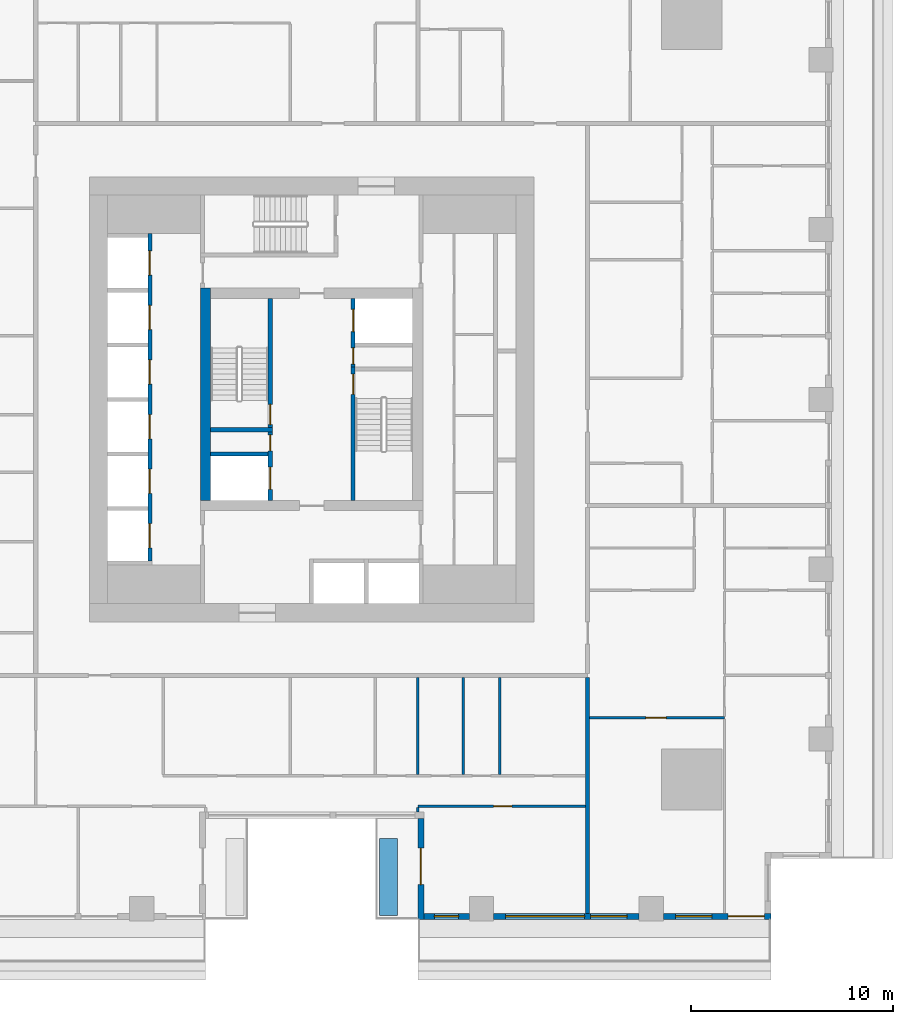
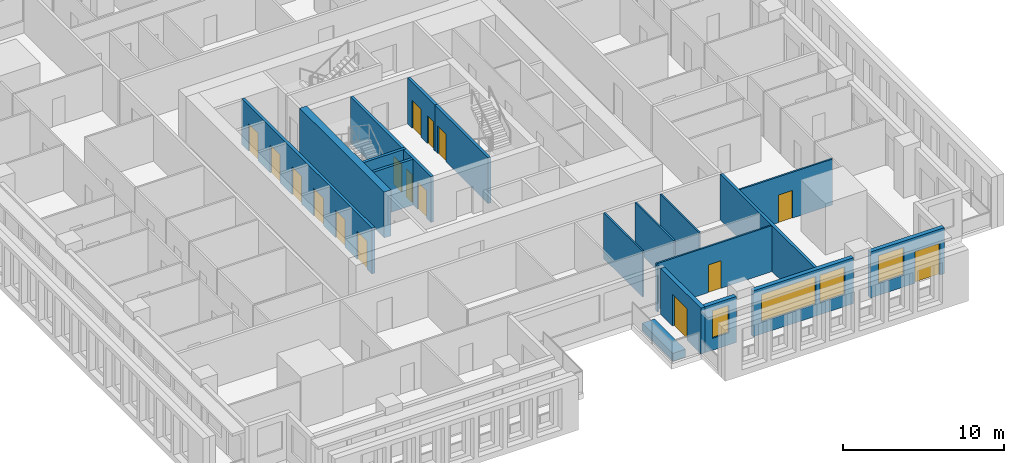
# One storey, part 4 of 15: 20 walls, 16 doors, 4 windows, 20 openings.
"""IFC4 building model written with IfcOpenShell, lengths in metres."""

import ifcopenshell
import ifcopenshell.guid

model = None  # the IFC model being written
_history = None  # IfcOwnerHistory: only IFC2X3 demands one
_inside = {}  # id of a spatial element -> (the spatial element, [elements in it])
_under = {}  # id of a project, library or spatial element -> (it, [spatial elements below it])
_declared = {}  # id of a project -> (the project, [libraries it declares])
_typed = {}  # id of a type object -> (the type object, [elements of that type])
_made_of = {}  # id of a material, layer set ... -> (it, [elements and type objects made of it])


def new_model(schema):
    """Start an empty IFC model of exactly this schema.

    Asked for "IFC4X3", IfcOpenShell would pick the latest addendum, in which some entities
    have other attributes; the version numbers below select the first issue.
    IFC2X3 requires an IfcOwnerHistory on every rooted entity: one is made here for all.
    """
    global model, _history
    if schema == "IFC4X3":
        model = ifcopenshell.file(schema_version=(4, 3, 0, 0))
    else:
        model = ifcopenshell.file(schema=schema)
    _inside.clear()
    _under.clear()
    _declared.clear()
    _typed.clear()
    _made_of.clear()
    _history = None
    if model.schema == "IFC2X3":
        org = make("IfcOrganization", Name="unknown")
        user = make(
            "IfcPersonAndOrganization",
            ThePerson=make("IfcPerson", FamilyName="unknown"),
            TheOrganization=org,
        )
        app = make(
            "IfcApplication",
            ApplicationDeveloper=org,
            Version="unknown",
            ApplicationFullName="unknown",
            ApplicationIdentifier="unknown",
        )
        _history = make(
            "IfcOwnerHistory",
            OwningUser=user,
            OwningApplication=app,
            ChangeAction="ADDED",
            CreationDate=0,
        )
    return model


def make(cls, **values):
    """One entity of the class cls with the attributes given. An attribute that is None is left unset."""
    return model.create_entity(
        cls, **{name: value for name, value in values.items() if value is not None}
    )


def rooted(cls, **values):
    """An entity with a GlobalId (a new one), such as an element, a storey or a relation."""
    return make(cls, GlobalId=ifcopenshell.guid.new(), OwnerHistory=_history, **values)


def si_unit(unit_type, name, prefix=None):
    """IfcSIUnit, for example si_unit("LENGTHUNIT", "METRE", prefix="MILLI")."""
    return make("IfcSIUnit", UnitType=unit_type, Prefix=prefix, Name=name)


def assignment(units):
    """IfcUnitAssignment: the units of a project."""
    return None if units is None else make("IfcUnitAssignment", Units=units)


def point(xyz):
    """IfcCartesianPoint."""
    return None if xyz is None else make("IfcCartesianPoint", Coordinates=xyz)


def direction(xyz):
    """IfcDirection."""
    return None if xyz is None else make("IfcDirection", DirectionRatios=xyz)


def frame(location, z_axis=None, x_axis=None):
    """IfcAxis2Placement3D, a coordinate frame: its origin and axes. An axis left out is left unset."""
    return make(
        "IfcAxis2Placement3D",
        Location=point(location),
        Axis=direction(z_axis),
        RefDirection=direction(x_axis),
    )


def frame_2d(location, x_axis=None):
    """IfcAxis2Placement2D, a coordinate frame in the plane: its origin and x axis."""
    return make(
        "IfcAxis2Placement2D", Location=point(location), RefDirection=direction(x_axis)
    )


def origin():
    """The frame at (0, 0, 0) with its axes left unset."""
    return frame((0.0, 0.0, 0.0))


def place(relative_to, where):
    """IfcLocalPlacement: puts the frame where relative to a parent placement (None: the world)."""
    return make(
        "IfcLocalPlacement", PlacementRelTo=relative_to, RelativePlacement=where
    )


def context(
    kind, dimensions, precision=None, world=None, true_north=None, identifier=None
):
    """IfcGeometricRepresentationContext, for example the 3D "Model" context."""
    return make(
        "IfcGeometricRepresentationContext",
        ContextIdentifier=identifier,
        ContextType=kind,
        CoordinateSpaceDimension=dimensions,
        Precision=precision,
        WorldCoordinateSystem=world,
        TrueNorth=true_north,
    )


def subcontext(parent, identifier, kind, view, scale=None):
    """IfcGeometricRepresentationSubContext, for example "Body" below "Model"."""
    return make(
        "IfcGeometricRepresentationSubContext",
        ContextIdentifier=identifier,
        ContextType=kind,
        ParentContext=parent,
        TargetScale=scale,
        TargetView=view,
    )


def project(units=None, contexts=None):
    """IfcProject with its units and contexts."""
    return rooted(
        "IfcProject",
        Name="project",
        RepresentationContexts=contexts,
        UnitsInContext=assignment(units),
    )


def spatial(cls, under=None, at=None, **own):
    """A site, building, storey or space (cls), placed at a placement, below another one or the project."""
    s = rooted(cls, ObjectPlacement=at, **own)
    if under is not None:
        _under.setdefault(under.id(), (under, []))[1].append(s)
    return s


def profile(cls, at=None, kind="AREA", **sizes):
    """A parametric profile (cls). Its sizes go by their IFC names, for example OverallWidth=200.0."""
    return make(cls, ProfileType=kind, Position=at, **sizes)


def rectangle(**sizes):
    """IfcRectangleProfileDef."""
    return profile("IfcRectangleProfileDef", **sizes)


def extrude(swept, where, along, depth):
    """IfcExtrudedAreaSolid: the profile swept, set in the frame where, extruded along a direction by depth."""
    return make(
        "IfcExtrudedAreaSolid",
        SweptArea=swept,
        Position=where,
        ExtrudedDirection=direction(along),
        Depth=depth,
    )


def shape(context_of_items, identifier, shape_type, items):
    """IfcShapeRepresentation: the items that make up one representation, for example the "Body"."""
    return make(
        "IfcShapeRepresentation",
        ContextOfItems=context_of_items,
        RepresentationIdentifier=identifier,
        RepresentationType=shape_type,
        Items=items,
    )


def material(Name=None, Category=None):
    """IfcMaterial."""
    return make("IfcMaterial", Name=Name, Category=Category)


def layer(
    of_material, thickness, ventilated=None, Name=None, Category=None, Priority=None
):
    """IfcMaterialLayer: one layer of a wall or slab, of a material (None: an air gap)."""
    return make(
        "IfcMaterialLayer",
        Material=of_material,
        LayerThickness=thickness,
        IsVentilated=ventilated,
        Name=Name,
        Category=Category,
        Priority=Priority,
    )


def layer_set(layers, Name=None):
    """IfcMaterialLayerSet."""
    return make("IfcMaterialLayerSet", MaterialLayers=layers, LayerSetName=Name)


def made_of(thing, what):
    """Note that an element or type object is made of a material, layer set ...; save() writes the relation."""
    if what is not None:
        _made_of.setdefault(what.id(), (what, []))[1].append(thing)
    return thing


def type_object(cls, material=None, **own):
    """A type object (cls), such as IfcWallType, which elements share."""
    return made_of(rooted(cls, **own), material)


def element(
    cls,
    number,
    at=None,
    inside=None,
    cuts=None,
    type_object=None,
    material=None,
    context=None,
    identifier="Body",
    shape_type=None,
    held_by="IfcProductDefinitionShape",
    body=None,
    shapes=None,
    **own,
):
    """One element of the class cls, such as IfcWall. Its Tag is "e" and its number.

    at: its placement. inside: the storey or other place that contains it. cuts: it is an
    opening in that element (IfcRelVoidsElement). A single representation is given by context,
    identifier, shape_type and body (its items); several are given by shapes. held_by: the class
    of the entity that holds the representations. save() writes the other relations.
    """
    e = rooted(cls, Tag="e%d" % number, ObjectPlacement=at, **own)
    if body is not None:
        shapes = [shape(context, identifier, shape_type, body)]
    if shapes is not None:
        e.Representation = make(held_by, Representations=shapes)
    if inside is not None:
        _inside.setdefault(inside.id(), (inside, []))[1].append(e)
    if cuts is not None:
        rooted(
            "IfcRelVoidsElement", RelatingBuildingElement=cuts, RelatedOpeningElement=e
        )
    if type_object is not None:
        _typed.setdefault(type_object.id(), (type_object, []))[1].append(e)
    return made_of(e, material)


def fill(opening, filler):
    """IfcRelFillsElement: the door or window that sits in an opening."""
    return rooted(
        "IfcRelFillsElement",
        RelatingOpeningElement=opening,
        RelatedBuildingElement=filler,
    )


def aggregate(whole, parts):
    """IfcRelAggregates: a whole, such as a stair, and the parts it consists of."""
    return rooted("IfcRelAggregates", RelatingObject=whole, RelatedObjects=parts)


def save(model, path):
    """Write the relations noted so far, then the file.

    IfcRelAggregates (storeys below a building ...), IfcRelContainedInSpatialStructure (elements
    in a storey), IfcRelDefinesByType, IfcRelAssociatesMaterial and IfcRelDeclares: one each for
    every whole, place, type object, material and project.
    """
    for whole, parts in _under.values():
        aggregate(whole, parts)
    for where, things in _inside.values():
        rooted(
            "IfcRelContainedInSpatialStructure",
            RelatedElements=things,
            RelatingStructure=where,
        )
    for kind, things in _typed.values():
        rooted("IfcRelDefinesByType", RelatedObjects=things, RelatingType=kind)
    for what, things in _made_of.values():
        rooted("IfcRelAssociatesMaterial", RelatedObjects=things, RelatingMaterial=what)
    for by, libraries in _declared.values():
        rooted("IfcRelDeclares", RelatingContext=by, RelatedDefinitions=libraries)
    model.write(path)


model = new_model("IFC4")

# Units and contexts
model_context = context("Model", 3, precision=1e-05, world=origin(), true_north=direction((0.0, 1.0)))
body_context = subcontext(model_context, "Body", "Model", "MODEL_VIEW")
ifc_project = project(units=[si_unit("LENGTHUNIT", "METRE"), si_unit("AREAUNIT", "SQUARE_METRE"), si_unit("VOLUMEUNIT", "CUBIC_METRE"), si_unit("PLANEANGLEUNIT", "RADIAN"), si_unit("MASSUNIT", "GRAM", prefix="KILO")], contexts=[model_context])

# Site, building, storey
site_placement = place(None, origin())
site = spatial("IfcSite", under=ifc_project, at=site_placement, CompositionType="ELEMENT")
building_placement = place(site_placement, origin())
building = spatial("IfcBuilding", under=site, at=building_placement, Name="Khepri Terraces", CompositionType="ELEMENT")
storey_placement = place(building_placement, frame((0.0, 0.0, 34.800048828125)))
storey = spatial("IfcBuildingStorey", under=building, at=storey_placement, Name="L07", CompositionType="ELEMENT", Elevation=34.800048828125)

# Wall, opening, door
ifc_material_1 = material(Name="Concrete C80/95", Category="concrete")
ifc_layer_1 = layer(ifc_material_1, 0.199951171875, Name="Concrete C80/95", Category="concrete")
ifc_layer_set_1 = layer_set([ifc_layer_1], Name="Concrete C80/95")
wall_type_1 = type_object("IfcWallType", Name="Core wall 200 C80/95", PredefinedType="SHEAR", material=ifc_layer_set_1)
wall_1_placement = place(storey_placement, frame((2.050048828125, -5.0, 0.0), z_axis=(0.0, 0.0, 1.0), x_axis=(0.0, 1.0, 0.0)))
wall_1 = element("IfcWall", 1, at=wall_1_placement, inside=storey, type_object=wall_type_1, Name="Core wall ST01 L07", PredefinedType="SHEAR", context=body_context, shape_type="SweptSolid", body=[
    extrude(rectangle(XDim=6.60009765625, YDim=0.199951171875, at=frame_2d((3.300048828125, 0.0))), origin(), (0.0, 0.0, 1.0), 3.47998046875),
])
opening_1_placement = place(wall_1_placement, frame((5.25, 0.0, 0.0)))
opening_1 = element("IfcOpeningElement", 2, at=opening_1_placement, cuts=wall_1, Name="Opening L07-C10", PredefinedType="OPENING", context=body_context, shape_type="SweptSolid", body=[
    extrude(rectangle(XDim=1.0, YDim=2.10009765625, at=frame_2d((0.5, 1.050048828125))), frame((0.0, 0.10986328125, 0.0), z_axis=(0.0, -1.0, 0.0), x_axis=(1.0, 0.0, 0.0)), (0.0, 0.0, 1.0), 0.219970703125),
])
ifc_material_2 = material(Name="Painted steel", Category="steel")
door_type_1 = type_object("IfcDoorType", Name="DR-CORE-STAIR-1000", OperationType="NOTDEFINED", PredefinedType="DOOR", material=ifc_material_2)
door_1_placement = place(opening_1_placement, frame((1.0, 0.0, 0.0), z_axis=(0.0, 0.0, 1.0), x_axis=(-1.0, 0.0, 0.0)))
door_1 = element("IfcDoor", 3, at=door_1_placement, inside=storey, type_object=door_type_1, Name="Stair door L07-C10", OperationType="SINGLE_SWING_LEFT", OverallHeight=2.10009765625, OverallWidth=1.0, PredefinedType="DOOR", context=body_context, shape_type="SweptSolid", body=[
    extrude(rectangle(XDim=1.0, YDim=2.10009765625, at=frame_2d((0.5, 1.050048828125))), frame((0.0, 0.02490234375, 0.0), z_axis=(0.0, -1.0, 0.0), x_axis=(1.0, 0.0, 0.0)), (0.0, 0.0, 1.0), 0.050048828125),
])
fill(opening_1, door_1)

# Wall
wall_2_placement = place(storey_placement, frame((-5.0, -1.5, 0.0), z_axis=(0.0, 0.0, 1.0), x_axis=(1.0, 0.0, 0.0)))
element("IfcWall", 4, at=wall_2_placement, inside=storey, type_object=wall_type_1, Name="Core wall ST02 L07", PredefinedType="SHEAR", context=body_context, shape_type="SweptSolid", body=[
    extrude(rectangle(XDim=3.050048828125, YDim=0.199951171875, at=frame_2d((1.52490234375, 0.0))), origin(), (0.0, 0.0, 1.0), 3.47998046875),
])

# Wall, opening, door
wall_3_placement = place(storey_placement, frame((-2.050048828125, -1.39990234375, 0.0), z_axis=(0.0, 0.0, 1.0), x_axis=(0.0, 1.0, 0.0)))
wall_3 = element("IfcWall", 5, at=wall_3_placement, inside=storey, type_object=wall_type_1, Name="Core wall ST03 L07", PredefinedType="SHEAR", context=body_context, shape_type="SweptSolid", body=[
    extrude(rectangle(XDim=6.39990234375, YDim=0.199951171875, at=frame_2d((3.199951171875, 0.0))), origin(), (0.0, 0.0, 1.0), 3.47998046875),
])
opening_2_placement = place(wall_3_placement, frame((0.14990234375, 0.0, 0.0)))
opening_2 = element("IfcOpeningElement", 6, at=opening_2_placement, cuts=wall_3, Name="Opening L07-C09", PredefinedType="OPENING", context=body_context, shape_type="SweptSolid", body=[
    extrude(rectangle(XDim=1.0, YDim=2.10009765625, at=frame_2d((0.5, 1.050048828125))), frame((0.0, 0.10986328125, 0.0), z_axis=(0.0, -1.0, 0.0), x_axis=(1.0, 0.0, 0.0)), (0.0, 0.0, 1.0), 0.219970703125),
])
door_2_placement = place(opening_2_placement, origin())
door_2 = element("IfcDoor", 7, at=door_2_placement, inside=storey, type_object=door_type_1, Name="Stair door L07-C09", OperationType="SINGLE_SWING_LEFT", OverallHeight=2.10009765625, OverallWidth=1.0, PredefinedType="DOOR", context=body_context, shape_type="SweptSolid", body=[
    extrude(rectangle(XDim=1.0, YDim=2.10009765625, at=frame_2d((0.5, 1.050048828125))), frame((0.0, 0.02490234375, 0.0), z_axis=(0.0, -1.0, 0.0), x_axis=(1.0, 0.0, 0.0)), (0.0, 0.0, 1.0), 0.050048828125),
])
fill(opening_2, door_2)

# Wall, openings, doors
wall_4_placement = place(storey_placement, frame((-8.0, -8.0, 0.0), z_axis=(0.0, 0.0, 1.0), x_axis=(0.0, 1.0, 0.0)))
wall_4 = element("IfcWall", 8, at=wall_4_placement, inside=storey, type_object=wall_type_1, Name="Core wall SH08 L07", PredefinedType="SHEAR", context=body_context, shape_type="SweptSolid", body=[
    extrude(rectangle(XDim=16.199951171875, YDim=0.199951171875, at=frame_2d((8.10009765625, 0.0))), origin(), (0.0, 0.0, 1.0), 3.47998046875),
])
opening_3_placement = place(wall_4_placement, frame((0.64990234375, 0.0, 0.0)))
opening_3 = element("IfcOpeningElement", 9, at=opening_3_placement, cuts=wall_4, Name="Opening L07-C01", PredefinedType="OPENING", context=body_context, shape_type="SweptSolid", body=[
    extrude(rectangle(XDim=1.199951171875, YDim=2.10009765625, at=frame_2d((0.60009765625, 1.050048828125))), frame((0.0, 0.10986328125, 0.0), z_axis=(0.0, -1.0, 0.0), x_axis=(1.0, 0.0, 0.0)), (0.0, 0.0, 1.0), 0.219970703125),
])
opening_4_placement = place(wall_4_placement, frame((3.35009765625, 0.0, 0.0)))
opening_4 = element("IfcOpeningElement", 10, at=opening_4_placement, cuts=wall_4, Name="Opening L07-C02", PredefinedType="OPENING", context=body_context, shape_type="SweptSolid", body=[
    extrude(rectangle(XDim=1.199951171875, YDim=2.10009765625, at=frame_2d((0.60009765625, 1.050048828125))), frame((0.0, 0.10986328125, 0.0), z_axis=(0.0, -1.0, 0.0), x_axis=(1.0, 0.0, 0.0)), (0.0, 0.0, 1.0), 0.219970703125),
])
opening_5_placement = place(wall_4_placement, frame((6.050048828125, 0.0, 0.0)))
opening_5 = element("IfcOpeningElement", 11, at=opening_5_placement, cuts=wall_4, Name="Opening L07-C03", PredefinedType="OPENING", context=body_context, shape_type="SweptSolid", body=[
    extrude(rectangle(XDim=1.199951171875, YDim=2.10009765625, at=frame_2d((0.60009765625, 1.050048828125))), frame((0.0, 0.10986328125, 0.0), z_axis=(0.0, -1.0, 0.0), x_axis=(1.0, 0.0, 0.0)), (0.0, 0.0, 1.0), 0.219970703125),
])
opening_6_placement = place(wall_4_placement, frame((8.75, 0.0, 0.0)))
opening_6 = element("IfcOpeningElement", 12, at=opening_6_placement, cuts=wall_4, Name="Opening L07-C04", PredefinedType="OPENING", context=body_context, shape_type="SweptSolid", body=[
    extrude(rectangle(XDim=1.199951171875, YDim=2.10009765625, at=frame_2d((0.60009765625, 1.050048828125))), frame((0.0, 0.10986328125, 0.0), z_axis=(0.0, -1.0, 0.0), x_axis=(1.0, 0.0, 0.0)), (0.0, 0.0, 1.0), 0.219970703125),
])
opening_7_placement = place(wall_4_placement, frame((11.449951171875, 0.0, 0.0)))
opening_7 = element("IfcOpeningElement", 13, at=opening_7_placement, cuts=wall_4, Name="Opening L07-C05", PredefinedType="OPENING", context=body_context, shape_type="SweptSolid", body=[
    extrude(rectangle(XDim=1.199951171875, YDim=2.10009765625, at=frame_2d((0.60009765625, 1.050048828125))), frame((0.0, 0.10986328125, 0.0), z_axis=(0.0, -1.0, 0.0), x_axis=(1.0, 0.0, 0.0)), (0.0, 0.0, 1.0), 0.219970703125),
])
opening_8_placement = place(wall_4_placement, frame((14.14990234375, 0.0, 0.0)))
opening_8 = element("IfcOpeningElement", 14, at=opening_8_placement, cuts=wall_4, Name="Opening L07-C06", PredefinedType="OPENING", context=body_context, shape_type="SweptSolid", body=[
    extrude(rectangle(XDim=1.199951171875, YDim=2.10009765625, at=frame_2d((0.60009765625, 1.050048828125))), frame((0.0, 0.10986328125, 0.0), z_axis=(0.0, -1.0, 0.0), x_axis=(1.0, 0.0, 0.0)), (0.0, 0.0, 1.0), 0.219970703125),
])
ifc_material_3 = material(Name="Stainless steel 304", Category="steel")
door_type_2 = type_object("IfcDoorType", Name="DR-CORE-LANDING-1200", OperationType="NOTDEFINED", PredefinedType="DOOR", material=ifc_material_3)
door_3_placement = place(opening_3_placement, origin())
door_3 = element("IfcDoor", 15, at=door_3_placement, inside=storey, type_object=door_type_2, Name="Lift landing door L07-C01", OperationType="SLIDING_TO_LEFT", OverallHeight=2.10009765625, OverallWidth=1.199951171875, PredefinedType="DOOR", context=body_context, shape_type="SweptSolid", body=[
    extrude(rectangle(XDim=1.199951171875, YDim=2.10009765625, at=frame_2d((0.60009765625, 1.050048828125))), frame((0.0, 0.02490234375, 0.0), z_axis=(0.0, -1.0, 0.0), x_axis=(1.0, 0.0, 0.0)), (0.0, 0.0, 1.0), 0.050048828125),
])
fill(opening_3, door_3)
door_4_placement = place(opening_4_placement, origin())
door_4 = element("IfcDoor", 16, at=door_4_placement, inside=storey, type_object=door_type_2, Name="Lift landing door L07-C02", OperationType="SLIDING_TO_LEFT", OverallHeight=2.10009765625, OverallWidth=1.199951171875, PredefinedType="DOOR", context=body_context, shape_type="SweptSolid", body=[
    extrude(rectangle(XDim=1.199951171875, YDim=2.10009765625, at=frame_2d((0.60009765625, 1.050048828125))), frame((0.0, 0.02490234375, 0.0), z_axis=(0.0, -1.0, 0.0), x_axis=(1.0, 0.0, 0.0)), (0.0, 0.0, 1.0), 0.050048828125),
])
fill(opening_4, door_4)
door_5_placement = place(opening_5_placement, origin())
door_5 = element("IfcDoor", 17, at=door_5_placement, inside=storey, type_object=door_type_2, Name="Lift landing door L07-C03", OperationType="SLIDING_TO_LEFT", OverallHeight=2.10009765625, OverallWidth=1.199951171875, PredefinedType="DOOR", context=body_context, shape_type="SweptSolid", body=[
    extrude(rectangle(XDim=1.199951171875, YDim=2.10009765625, at=frame_2d((0.60009765625, 1.050048828125))), frame((0.0, 0.02490234375, 0.0), z_axis=(0.0, -1.0, 0.0), x_axis=(1.0, 0.0, 0.0)), (0.0, 0.0, 1.0), 0.050048828125),
])
fill(opening_5, door_5)
door_6_placement = place(opening_6_placement, origin())
door_6 = element("IfcDoor", 18, at=door_6_placement, inside=storey, type_object=door_type_2, Name="Lift landing door L07-C04", OperationType="SLIDING_TO_LEFT", OverallHeight=2.10009765625, OverallWidth=1.199951171875, PredefinedType="DOOR", context=body_context, shape_type="SweptSolid", body=[
    extrude(rectangle(XDim=1.199951171875, YDim=2.10009765625, at=frame_2d((0.60009765625, 1.050048828125))), frame((0.0, 0.02490234375, 0.0), z_axis=(0.0, -1.0, 0.0), x_axis=(1.0, 0.0, 0.0)), (0.0, 0.0, 1.0), 0.050048828125),
])
fill(opening_6, door_6)
door_7_placement = place(opening_7_placement, origin())
door_7 = element("IfcDoor", 19, at=door_7_placement, inside=storey, type_object=door_type_2, Name="Lift landing door L07-C05", OperationType="SLIDING_TO_LEFT", OverallHeight=2.10009765625, OverallWidth=1.199951171875, PredefinedType="DOOR", context=body_context, shape_type="SweptSolid", body=[
    extrude(rectangle(XDim=1.199951171875, YDim=2.10009765625, at=frame_2d((0.60009765625, 1.050048828125))), frame((0.0, 0.02490234375, 0.0), z_axis=(0.0, -1.0, 0.0), x_axis=(1.0, 0.0, 0.0)), (0.0, 0.0, 1.0), 0.050048828125),
])
fill(opening_7, door_7)
door_8_placement = place(opening_8_placement, origin())
door_8 = element("IfcDoor", 20, at=door_8_placement, inside=storey, type_object=door_type_2, Name="Lift landing door L07-C06", OperationType="SLIDING_TO_LEFT", OverallHeight=2.10009765625, OverallWidth=1.199951171875, PredefinedType="DOOR", context=body_context, shape_type="SweptSolid", body=[
    extrude(rectangle(XDim=1.199951171875, YDim=2.10009765625, at=frame_2d((0.60009765625, 1.050048828125))), frame((0.0, 0.02490234375, 0.0), z_axis=(0.0, -1.0, 0.0), x_axis=(1.0, 0.0, 0.0)), (0.0, 0.0, 1.0), 0.050048828125),
])
fill(opening_8, door_8)

wall_5_placement = place(storey_placement, frame((-2.050048828125, -5.0, 0.0), z_axis=(0.0, 0.0, 1.0), x_axis=(0.0, 1.0, 0.0)))
wall_5 = element("IfcWall", 21, at=wall_5_placement, inside=storey, type_object=wall_type_1, Name="Core wall SH10 L07", PredefinedType="SHEAR", context=body_context, shape_type="SweptSolid", body=[
    extrude(rectangle(XDim=3.39990234375, YDim=0.199951171875, at=frame_2d((1.699951171875, 0.0))), origin(), (0.0, 0.0, 1.0), 3.47998046875),
])
opening_9_placement = place(wall_5_placement, frame((0.550048828125, 0.0, 0.0)))
opening_9 = element("IfcOpeningElement", 22, at=opening_9_placement, cuts=wall_5, Name="Opening L07-C08", PredefinedType="OPENING", context=body_context, shape_type="SweptSolid", body=[
    extrude(rectangle(XDim=1.10009765625, YDim=2.10009765625, at=frame_2d((0.550048828125, 1.050048828125))), frame((0.0, 0.10986328125, 0.0), z_axis=(0.0, -1.0, 0.0), x_axis=(1.0, 0.0, 0.0)), (0.0, 0.0, 1.0), 0.219970703125),
])
opening_10_placement = place(wall_5_placement, frame((2.449951171875, 0.0, 0.0)))
opening_10 = element("IfcOpeningElement", 23, at=opening_10_placement, cuts=wall_5, Name="Opening L07-C12", PredefinedType="OPENING", context=body_context, shape_type="SweptSolid", body=[
    extrude(rectangle(XDim=0.800048828125, YDim=2.10009765625, at=frame_2d((0.39990234375, 1.050048828125))), frame((0.0, 0.10986328125, 0.0), z_axis=(0.0, -1.0, 0.0), x_axis=(1.0, 0.0, 0.0)), (0.0, 0.0, 1.0), 0.219970703125),
])
door_type_3 = type_object("IfcDoorType", Name="DR-CORE-FF-LANDING-1100", OperationType="NOTDEFINED", PredefinedType="DOOR", material=ifc_material_3)
door_9_placement = place(opening_9_placement, origin())
door_9 = element("IfcDoor", 24, at=door_9_placement, inside=storey, type_object=door_type_3, Name="Firefighting lift landing door L07-C08", OperationType="SLIDING_TO_LEFT", OverallHeight=2.10009765625, OverallWidth=1.10009765625, PredefinedType="DOOR", context=body_context, shape_type="SweptSolid", body=[
    extrude(rectangle(XDim=1.10009765625, YDim=2.10009765625, at=frame_2d((0.550048828125, 1.050048828125))), frame((0.0, 0.02490234375, 0.0), z_axis=(0.0, -1.0, 0.0), x_axis=(1.0, 0.0, 0.0)), (0.0, 0.0, 1.0), 0.050048828125),
])
fill(opening_9, door_9)
door_type_4 = type_object("IfcDoorType", Name="DR-CORE-RISER-800", OperationType="NOTDEFINED", PredefinedType="DOOR", material=ifc_material_2)
door_10_placement = place(opening_10_placement, origin())
door_10 = element("IfcDoor", 25, at=door_10_placement, inside=storey, type_object=door_type_4, Name="Riser door L07-C12", OperationType="SINGLE_SWING_RIGHT", OverallHeight=2.10009765625, OverallWidth=0.800048828125, PredefinedType="DOOR", context=body_context, shape_type="SweptSolid", body=[
    extrude(rectangle(XDim=0.800048828125, YDim=2.10009765625, at=frame_2d((0.39990234375, 1.050048828125))), frame((0.0, 0.02490234375, 0.0), z_axis=(0.0, -1.0, 0.0), x_axis=(1.0, 0.0, 0.0)), (0.0, 0.0, 1.0), 0.050048828125),
])
fill(opening_10, door_10)

# Wall
wall_6_placement = place(storey_placement, frame((-5.0, -2.699951171875, 0.0), z_axis=(0.0, 0.0, 1.0), x_axis=(1.0, 0.0, 0.0)))
element("IfcWall", 26, at=wall_6_placement, inside=storey, type_object=wall_type_1, Name="Core wall SH13 L07", PredefinedType="SHEAR", context=body_context, shape_type="SweptSolid", body=[
    extrude(rectangle(XDim=2.85009765625, YDim=0.199951171875, at=frame_2d((1.425048828125, 0.0))), origin(), (0.0, 0.0, 1.0), 3.47998046875),
])

# Wall, openings, doors
wall_7_placement = place(storey_placement, frame((2.050048828125, 1.60009765625, 0.0), z_axis=(0.0, 0.0, 1.0), x_axis=(0.0, 1.0, 0.0)))
wall_7 = element("IfcWall", 27, at=wall_7_placement, inside=storey, type_object=wall_type_1, Name="Core wall SH15 L07", PredefinedType="SHEAR", context=body_context, shape_type="SweptSolid", body=[
    extrude(rectangle(XDim=3.39990234375, YDim=0.199951171875, at=frame_2d((1.699951171875, 0.0))), origin(), (0.0, 0.0, 1.0), 3.47998046875),
])
opening_11_placement = place(wall_7_placement, frame((1.75, 0.0, 0.0)))
opening_11 = element("IfcOpeningElement", 28, at=opening_11_placement, cuts=wall_7, Name="Opening L07-C07", PredefinedType="OPENING", context=body_context, shape_type="SweptSolid", body=[
    extrude(rectangle(XDim=1.10009765625, YDim=2.10009765625, at=frame_2d((0.550048828125, 1.050048828125))), frame((0.0, 0.10986328125, 0.0), z_axis=(0.0, -1.0, 0.0), x_axis=(1.0, 0.0, 0.0)), (0.0, 0.0, 1.0), 0.219970703125),
])
opening_12_placement = place(wall_7_placement, frame((0.14990234375, 0.0, 0.0)))
opening_12 = element("IfcOpeningElement", 29, at=opening_12_placement, cuts=wall_7, Name="Opening L07-C11", PredefinedType="OPENING", context=body_context, shape_type="SweptSolid", body=[
    extrude(rectangle(XDim=0.800048828125, YDim=2.10009765625, at=frame_2d((0.39990234375, 1.050048828125))), frame((0.0, 0.10986328125, 0.0), z_axis=(0.0, -1.0, 0.0), x_axis=(1.0, 0.0, 0.0)), (0.0, 0.0, 1.0), 0.219970703125),
])
door_11_placement = place(opening_11_placement, origin())
door_11 = element("IfcDoor", 30, at=door_11_placement, inside=storey, type_object=door_type_3, Name="Firefighting lift landing door L07-C07", OperationType="SLIDING_TO_LEFT", OverallHeight=2.10009765625, OverallWidth=1.10009765625, PredefinedType="DOOR", context=body_context, shape_type="SweptSolid", body=[
    extrude(rectangle(XDim=1.10009765625, YDim=2.10009765625, at=frame_2d((0.550048828125, 1.050048828125))), frame((0.0, 0.02490234375, 0.0), z_axis=(0.0, -1.0, 0.0), x_axis=(1.0, 0.0, 0.0)), (0.0, 0.0, 1.0), 0.050048828125),
])
fill(opening_11, door_11)
door_12_placement = place(opening_12_placement, frame((0.800048828125, 0.0, 0.0), z_axis=(0.0, 0.0, 1.0), x_axis=(-1.0, 0.0, 0.0)))
door_12 = element("IfcDoor", 31, at=door_12_placement, inside=storey, type_object=door_type_4, Name="Riser door L07-C11", OperationType="SINGLE_SWING_RIGHT", OverallHeight=2.10009765625, OverallWidth=0.800048828125, PredefinedType="DOOR", context=body_context, shape_type="SweptSolid", body=[
    extrude(rectangle(XDim=0.800048828125, YDim=2.10009765625, at=frame_2d((0.39990234375, 1.050048828125))), frame((0.0, 0.02490234375, 0.0), z_axis=(0.0, -1.0, 0.0), x_axis=(1.0, 0.0, 0.0)), (0.0, 0.0, 1.0), 0.050048828125),
])
fill(opening_12, door_12)

# Walls
ifc_layer_2 = layer(ifc_material_1, 0.5, Name="Concrete C80/95", Category="concrete")
ifc_layer_set_2 = layer_set([ifc_layer_2], Name="Concrete C80/95")
wall_type_2 = type_object("IfcWallType", Name="Core wall 500 C80/95", PredefinedType="SHEAR", material=ifc_layer_set_2)
wall_8_placement = place(storey_placement, frame((-5.25, -5.0, 0.0), z_axis=(0.0, 0.0, 1.0), x_axis=(0.0, 1.0, 0.0)))
element("IfcWall", 32, at=wall_8_placement, inside=storey, type_object=wall_type_2, Name="Core wall BX02 L07", PredefinedType="SHEAR", context=body_context, shape_type="SweptSolid", body=[
    extrude(rectangle(XDim=10.5, YDim=0.5, at=frame_2d((5.25, 0.0))), origin(), (0.0, 0.0, 1.0), 3.47998046875),
])
ifc_material_4 = material(Name="Fire-rated gypsum plasterboard partition, mineral wool")
ifc_layer_3 = layer(ifc_material_4, 0.199951171875, Name="Fire-rated gypsum plasterboard partition, mineral wool")
ifc_layer_set_3 = layer_set([ifc_layer_3], Name="Fire-rated gypsum plasterboard partition, mineral wool")
wall_type_3 = type_object("IfcWallType", Name="WL-CORR-200", PredefinedType="PARTITIONING", material=ifc_layer_set_3)
wall_9_placement = place(storey_placement, frame((13.64990234375, -25.419921875, 0.0), z_axis=(0.0, 0.0, 1.0), x_axis=(0.0, 1.0, 0.0)))
element("IfcWall", 33, at=wall_9_placement, inside=storey, type_object=wall_type_3, Name="Partition P-002 L07", PredefinedType="PARTITIONING", context=body_context, shape_type="SweptSolid", body=[
    extrude(rectangle(XDim=11.669921875, YDim=0.199951171875, at=frame_2d((5.8349609375, 0.0))), origin(), (0.0, 0.0, 1.0), 3.47998046875),
])

# Wall, opening, door
ifc_material_5 = material(Name="Precast concrete C50/60 warm stone", Category="masonry")
ifc_layer_4 = layer(ifc_material_5, 0.300048828125, Name="Precast concrete C50/60 warm stone", Category="masonry")
ifc_layer_set_4 = layer_set([ifc_layer_4], Name="Precast concrete C50/60 warm stone")
wall_type_4 = type_object("IfcWallType", Name="WL-EXT-PRECAST-300", PredefinedType="STANDARD", material=ifc_layer_set_4)
wall_10_placement = place(storey_placement, frame((5.39990234375, -20.719970703125, 0.0), z_axis=(0.0, 0.0, 1.0), x_axis=(0.0, -1.0, 0.0)))
wall_10 = element("IfcWall", 34, at=wall_10_placement, inside=storey, type_object=wall_type_4, Name="External wall L07 W", PredefinedType="STANDARD", context=body_context, shape_type="SweptSolid", body=[
    extrude(rectangle(XDim=5.0, YDim=0.300048828125, at=frame_2d((2.5, 0.0))), origin(), (0.0, 0.0, 1.0), 3.47998046875),
])
opening_13_placement = place(wall_10_placement, frame((1.47998046875, 0.0, 0.0)))
opening_13 = element("IfcOpeningElement", 35, at=opening_13_placement, cuts=wall_10, Name="Opening ED-L07-22", PredefinedType="OPENING", context=body_context, shape_type="SweptSolid", body=[
    extrude(rectangle(XDim=1.800048828125, YDim=2.39990234375, at=frame_2d((0.89990234375, 1.199951171875))), frame((0.0, 0.16015625, 0.0), z_axis=(0.0, -1.0, 0.0), x_axis=(1.0, 0.0, 0.0)), (0.0, 0.0, 1.0), 0.320068359375),
])
ifc_material_6 = material(Name="Anodised aluminium bronze glazed door", Category="aluminium")
door_type_5 = type_object("IfcDoorType", Name="DR-BAL-SLIDE-1800x2400", OperationType="NOTDEFINED", PredefinedType="DOOR", material=ifc_material_6)
door_13_placement = place(opening_13_placement, origin())
door_13 = element("IfcDoor", 36, at=door_13_placement, inside=storey, type_object=door_type_5, Name="Balcony door L07 W", OperationType="SLIDING_TO_RIGHT", OverallHeight=2.39990234375, OverallWidth=1.800048828125, PredefinedType="DOOR", context=body_context, shape_type="SweptSolid", body=[
    extrude(rectangle(XDim=1.800048828125, YDim=2.39990234375, at=frame_2d((0.89990234375, 1.199951171875))), frame((0.0, 0.02490234375, 0.0), z_axis=(0.0, -1.0, 0.0), x_axis=(1.0, 0.0, 0.0)), (0.0, 0.0, 1.0), 0.050048828125),
])
fill(opening_13, door_13)

# Wall, opening, window
wall_11_placement = place(storey_placement, frame((5.550048828125, -25.570068359375, 0.0), z_axis=(0.0, 0.0, 1.0), x_axis=(1.0, 0.0, 0.0)))
wall_11 = element("IfcWall", 37, at=wall_11_placement, inside=storey, type_object=wall_type_4, Name="External wall L07 S", PredefinedType="STANDARD", context=body_context, shape_type="SweptSolid", body=[
    extrude(rectangle(XDim=2.25, YDim=0.300048828125, at=frame_2d((1.125, 0.0))), origin(), (0.0, 0.0, 1.0), 3.47998046875),
])
opening_14_placement = place(wall_11_placement, frame((0.52490234375, 0.0, 0.89990234375)))
opening_14 = element("IfcOpeningElement", 38, at=opening_14_placement, cuts=wall_11, Name="Opening W4", PredefinedType="OPENING", context=body_context, shape_type="SweptSolid", body=[
    extrude(rectangle(XDim=1.199951171875, YDim=2.10009765625, at=frame_2d((0.60009765625, 1.050048828125))), frame((0.0, 0.16015625, 0.0), z_axis=(0.0, -1.0, 0.0), x_axis=(1.0, 0.0, 0.0)), (0.0, 0.0, 1.0), 0.320068359375),
])
ifc_material_7 = material(Name="Clear glass", Category="glass")
window_type_1 = type_object("IfcWindowType", Name="WIN-RES-1200x2100", PartitioningType="SINGLE_PANEL", PredefinedType="WINDOW", material=ifc_material_7)
window_1_placement = place(opening_14_placement, origin())
window_1 = element("IfcWindow", 39, at=window_1_placement, inside=storey, type_object=window_type_1, Name="Window L07 S", OverallHeight=2.10009765625, OverallWidth=1.199951171875, PartitioningType="SINGLE_PANEL", PredefinedType="WINDOW", context=body_context, shape_type="SweptSolid", body=[
    extrude(rectangle(XDim=1.199951171875, YDim=2.10009765625, at=frame_2d((0.60009765625, 1.050048828125))), frame((0.0, 0.030029296875, 0.0), z_axis=(0.0, -1.0, 0.0), x_axis=(1.0, 0.0, 0.0)), (0.0, 0.0, 1.0), 0.06005859375),
])
fill(opening_14, window_1)

# Wall, openings, windows
wall_12_placement = place(storey_placement, frame((9.0, -25.570068359375, 0.0), z_axis=(0.0, 0.0, 1.0), x_axis=(1.0, 0.0, 0.0)))
wall_12 = element("IfcWall", 40, at=wall_12_placement, inside=storey, type_object=wall_type_4, Name="External wall L07 S", PredefinedType="STANDARD", context=body_context, shape_type="SweptSolid", body=[
    extrude(rectangle(XDim=7.199951171875, YDim=0.300048828125, at=frame_2d((3.60009765625, 0.0))), origin(), (0.0, 0.0, 1.0), 3.47998046875),
])
opening_15_placement = place(wall_12_placement, frame((0.60009765625, 0.0, 0.89990234375)))
opening_15 = element("IfcOpeningElement", 41, at=opening_15_placement, cuts=wall_12, Name="Opening W2", PredefinedType="OPENING", context=body_context, shape_type="SweptSolid", body=[
    extrude(rectangle(XDim=3.89990234375, YDim=2.10009765625, at=frame_2d((1.949951171875, 1.050048828125))), frame((0.0, 0.16015625, 0.0), z_axis=(0.0, -1.0, 0.0), x_axis=(1.0, 0.0, 0.0)), (0.0, 0.0, 1.0), 0.320068359375),
])
opening_16_placement = place(wall_12_placement, frame((4.800048828125, 0.0, 0.89990234375)))
opening_16 = element("IfcOpeningElement", 42, at=opening_16_placement, cuts=wall_12, Name="Opening W1", PredefinedType="OPENING", context=body_context, shape_type="SweptSolid", body=[
    extrude(rectangle(XDim=1.800048828125, YDim=2.10009765625, at=frame_2d((0.89990234375, 1.050048828125))), frame((0.0, 0.16015625, 0.0), z_axis=(0.0, -1.0, 0.0), x_axis=(1.0, 0.0, 0.0)), (0.0, 0.0, 1.0), 0.320068359375),
])
window_type_2 = type_object("IfcWindowType", Name="WIN-RES-1800x2100", PartitioningType="SINGLE_PANEL", PredefinedType="WINDOW", material=ifc_material_7)
window_2_placement = place(opening_16_placement, origin())
window_2 = element("IfcWindow", 43, at=window_2_placement, inside=storey, type_object=window_type_2, Name="Window L07 S", OverallHeight=2.10009765625, OverallWidth=1.800048828125, PartitioningType="SINGLE_PANEL", PredefinedType="WINDOW", context=body_context, shape_type="SweptSolid", body=[
    extrude(rectangle(XDim=1.800048828125, YDim=2.10009765625, at=frame_2d((0.89990234375, 1.050048828125))), frame((0.0, 0.030029296875, 0.0), z_axis=(0.0, -1.0, 0.0), x_axis=(1.0, 0.0, 0.0)), (0.0, 0.0, 1.0), 0.06005859375),
])
fill(opening_16, window_2)
window_type_3 = type_object("IfcWindowType", Name="WIN-RES-3900x2100", PartitioningType="SINGLE_PANEL", PredefinedType="WINDOW", material=ifc_material_7)
window_3_placement = place(opening_15_placement, origin())
window_3 = element("IfcWindow", 44, at=window_3_placement, inside=storey, type_object=window_type_3, Name="Window L07 S", OverallHeight=2.10009765625, OverallWidth=3.89990234375, PartitioningType="SINGLE_PANEL", PredefinedType="WINDOW", context=body_context, shape_type="SweptSolid", body=[
    extrude(rectangle(XDim=3.89990234375, YDim=2.10009765625, at=frame_2d((1.949951171875, 1.050048828125))), frame((0.0, 0.030029296875, 0.0), z_axis=(0.0, -1.0, 0.0), x_axis=(1.0, 0.0, 0.0)), (0.0, 0.0, 1.0), 0.06005859375),
])
fill(opening_15, window_3)

# Wall, openings, door, window
wall_13_placement = place(storey_placement, frame((17.39990234375, -25.570068359375, 0.0), z_axis=(0.0, 0.0, 1.0), x_axis=(1.0, 0.0, 0.0)))
wall_13 = element("IfcWall", 45, at=wall_13_placement, inside=storey, type_object=wall_type_4, Name="External wall L07 S", PredefinedType="STANDARD", context=body_context, shape_type="SweptSolid", body=[
    extrude(rectangle(XDim=5.320068359375, YDim=0.300048828125, at=frame_2d((2.66015625, 0.0))), origin(), (0.0, 0.0, 1.0), 3.47998046875),
])
opening_17_placement = place(wall_13_placement, frame((0.60009765625, 0.0, 0.89990234375)))
opening_17 = element("IfcOpeningElement", 46, at=opening_17_placement, cuts=wall_13, Name="Opening W1", PredefinedType="OPENING", context=body_context, shape_type="SweptSolid", body=[
    extrude(rectangle(XDim=1.800048828125, YDim=2.10009765625, at=frame_2d((0.89990234375, 1.050048828125))), frame((0.0, 0.16015625, 0.0), z_axis=(0.0, -1.0, 0.0), x_axis=(1.0, 0.0, 0.0)), (0.0, 0.0, 1.0), 0.320068359375),
])
opening_18_placement = place(wall_13_placement, frame((3.195068359375, 0.0, 0.0)))
opening_18 = element("IfcOpeningElement", 47, at=opening_18_placement, cuts=wall_13, Name="Opening ED-L07-23", PredefinedType="OPENING", context=body_context, shape_type="SweptSolid", body=[
    extrude(rectangle(XDim=1.800048828125, YDim=2.39990234375, at=frame_2d((0.89990234375, 1.199951171875))), frame((0.0, 0.16015625, 0.0), z_axis=(0.0, -1.0, 0.0), x_axis=(1.0, 0.0, 0.0)), (0.0, 0.0, 1.0), 0.320068359375),
])
door_14_placement = place(opening_18_placement, origin())
door_14 = element("IfcDoor", 48, at=door_14_placement, inside=storey, type_object=door_type_5, Name="Balcony door L07 S", OperationType="SLIDING_TO_RIGHT", OverallHeight=2.39990234375, OverallWidth=1.800048828125, PredefinedType="DOOR", context=body_context, shape_type="SweptSolid", body=[
    extrude(rectangle(XDim=1.800048828125, YDim=2.39990234375, at=frame_2d((0.89990234375, 1.199951171875))), frame((0.0, 0.02490234375, 0.0), z_axis=(0.0, -1.0, 0.0), x_axis=(1.0, 0.0, 0.0)), (0.0, 0.0, 1.0), 0.050048828125),
])
fill(opening_18, door_14)
window_4_placement = place(opening_17_placement, origin())
window_4 = element("IfcWindow", 49, at=window_4_placement, inside=storey, type_object=window_type_2, Name="Window L07 S", OverallHeight=2.10009765625, OverallWidth=1.800048828125, PartitioningType="SINGLE_PANEL", PredefinedType="WINDOW", context=body_context, shape_type="SweptSolid", body=[
    extrude(rectangle(XDim=1.800048828125, YDim=2.10009765625, at=frame_2d((0.89990234375, 1.050048828125))), frame((0.0, 0.030029296875, 0.0), z_axis=(0.0, -1.0, 0.0), x_axis=(1.0, 0.0, 0.0)), (0.0, 0.0, 1.0), 0.06005859375),
])
fill(opening_17, window_4)

# Wall
ifc_material_8 = material(Name="Gypsum plasterboard partition")
ifc_layer_5 = layer(ifc_material_8, 0.1201171875, Name="Gypsum plasterboard partition")
ifc_layer_set_5 = layer_set([ifc_layer_5], Name="Gypsum plasterboard partition")
wall_type_5 = type_object("IfcWallType", Name="WL-PART-120", PredefinedType="PARTITIONING", material=ifc_layer_set_5)
wall_14_placement = place(storey_placement, frame((5.25, -20.419921875, 0.0), z_axis=(0.0, 0.0, 1.0), x_axis=(0.0, 1.0, 0.0)))
element("IfcWall", 50, at=wall_14_placement, inside=storey, type_object=wall_type_5, Name="Partition P-005 L07", PredefinedType="PARTITIONING", context=body_context, shape_type="SweptSolid", body=[
    extrude(rectangle(XDim=0.239990234375, YDim=0.1201171875, at=frame_2d((0.1201171875, 0.0))), origin(), (0.0, 0.0, 1.0), 3.47998046875),
])

# Wall, opening, door
wall_15_placement = place(storey_placement, frame((5.25, -20.1201171875, 0.0), z_axis=(0.0, 0.0, 1.0), x_axis=(1.0, 0.0, 0.0)))
wall_15 = element("IfcWall", 51, at=wall_15_placement, inside=storey, type_object=wall_type_5, Name="Partition P-008 L07", PredefinedType="PARTITIONING", context=body_context, shape_type="SweptSolid", body=[
    extrude(rectangle(XDim=8.300048828125, YDim=0.1201171875, at=frame_2d((4.14990234375, 0.0))), origin(), (0.0, 0.0, 1.0), 3.47998046875),
])
opening_19_placement = place(wall_15_placement, frame((3.75, 0.0, 0.0)))
opening_19 = element("IfcOpeningElement", 52, at=opening_19_placement, cuts=wall_15, Name="Opening D3", PredefinedType="OPENING", context=body_context, shape_type="SweptSolid", body=[
    extrude(rectangle(XDim=0.89990234375, YDim=2.10009765625, at=frame_2d((0.449951171875, 1.050048828125))), frame((0.0, 0.070068359375, 0.0), z_axis=(0.0, -1.0, 0.0), x_axis=(1.0, 0.0, 0.0)), (0.0, 0.0, 1.0), 0.14013671875),
])
ifc_material_9 = material(Name="Timber door leaf", Category="wood")
door_type_6 = type_object("IfcDoorType", Name="DR-INT-900", OperationType="NOTDEFINED", PredefinedType="DOOR", material=ifc_material_9)
door_15_placement = place(opening_19_placement, frame((0.89990234375, 0.0, 0.0), z_axis=(0.0, 0.0, 1.0), x_axis=(-1.0, 0.0, 0.0)))
door_15 = element("IfcDoor", 53, at=door_15_placement, inside=storey, type_object=door_type_6, Name="Door Home Gym", OperationType="SINGLE_SWING_LEFT", OverallHeight=2.10009765625, OverallWidth=0.89990234375, PredefinedType="DOOR", context=body_context, shape_type="SweptSolid", body=[
    extrude(rectangle(XDim=0.89990234375, YDim=2.10009765625, at=frame_2d((0.449951171875, 1.050048828125))), frame((0.0, 0.02490234375, 0.0), z_axis=(0.0, -1.0, 0.0), x_axis=(1.0, 0.0, 0.0)), (0.0, 0.0, 1.0), 0.050048828125),
])
fill(opening_19, door_15)

# Walls
for number, where, z_axis, x_axis, name in (
    (54, (5.25, -18.56005859375, 0.0), (0.0, 0.0, 1.0), (0.0, 1.0, 0.0), "Partition P-014 L07"),
    (55, (7.5, -18.56005859375, 0.0), (0.0, 0.0, 1.0), (0.0, 1.0, 0.0), "Partition P-015 L07"),
    (56, (9.300048828125, -18.56005859375, 0.0), (0.0, 0.0, 1.0), (0.0, 1.0, 0.0), "Partition P-016 L07"),
):
    element("IfcWall", number, at=place(storey_placement, frame(where, z_axis=z_axis, x_axis=x_axis)), inside=storey, type_object=wall_type_5, Name=name, PredefinedType="PARTITIONING", context=body_context, shape_type="SweptSolid", body=[
        extrude(rectangle(XDim=4.81005859375, YDim=0.1201171875, at=frame_2d((2.405029296875, 0.0))), origin(), (0.0, 0.0, 1.0), 3.47998046875),
    ])

# Wall, opening, door
wall_16_placement = place(storey_placement, frame((13.75, -15.75, 0.0), z_axis=(0.0, 0.0, 1.0), x_axis=(1.0, 0.0, 0.0)))
wall_16 = element("IfcWall", 57, at=wall_16_placement, inside=storey, type_object=wall_type_5, Name="Partition P-017 L07", PredefinedType="PARTITIONING", context=body_context, shape_type="SweptSolid", body=[
    extrude(rectangle(XDim=6.669921875, YDim=0.1201171875, at=frame_2d((3.3349609375, 0.0))), origin(), (0.0, 0.0, 1.0), 3.47998046875),
])
opening_20_placement = place(wall_16_placement, frame((2.784912109375, 0.0, 0.0)))
opening_20 = element("IfcOpeningElement", 58, at=opening_20_placement, cuts=wall_16, Name="Opening D2", PredefinedType="OPENING", context=body_context, shape_type="SweptSolid", body=[
    extrude(rectangle(XDim=1.0, YDim=2.10009765625, at=frame_2d((0.5, 1.050048828125))), frame((0.0, 0.070068359375, 0.0), z_axis=(0.0, -1.0, 0.0), x_axis=(1.0, 0.0, 0.0)), (0.0, 0.0, 1.0), 0.14013671875),
])
ifc_material_10 = material(Name="Timber door leaf, living room door", Category="wood")
door_type_7 = type_object("IfcDoorType", Name="DR-INT-1000", OperationType="NOTDEFINED", PredefinedType="DOOR", material=ifc_material_10)
door_16_placement = place(opening_20_placement, frame((1.0, 0.0, 0.0), z_axis=(0.0, 0.0, 1.0), x_axis=(-1.0, 0.0, 0.0)))
door_16 = element("IfcDoor", 59, at=door_16_placement, inside=storey, type_object=door_type_7, Name="Door Family Room", OperationType="SINGLE_SWING_RIGHT", OverallHeight=2.10009765625, OverallWidth=1.0, PredefinedType="DOOR", context=body_context, shape_type="SweptSolid", body=[
    extrude(rectangle(XDim=1.0, YDim=2.10009765625, at=frame_2d((0.5, 1.050048828125))), frame((0.0, 0.02490234375, 0.0), z_axis=(0.0, -1.0, 0.0), x_axis=(1.0, 0.0, 0.0)), (0.0, 0.0, 1.0), 0.050048828125),
])
fill(opening_20, door_16)

# Wall
ifc_layer_6 = layer(ifc_material_5, 0.89990234375, Name="Precast concrete C50/60 warm stone", Category="masonry")
ifc_layer_set_6 = layer_set([ifc_layer_6], Name="Precast concrete C50/60 warm stone")
wall_type_6 = type_object("IfcWallType", Name="WL-PLANTER-900", PredefinedType="MOVABLE", material=ifc_layer_set_6)
wall_17_placement = place(storey_placement, frame((3.800048828125, -25.52001953125, 0.0), z_axis=(0.0, 0.0, 1.0), x_axis=(0.0, 1.0, 0.0)))
element("IfcWall", 60, at=wall_17_placement, inside=storey, type_object=wall_type_6, Name="Planter L07", PredefinedType="MOVABLE", context=body_context, shape_type="SweptSolid", body=[
    extrude(rectangle(XDim=3.800048828125, YDim=0.89990234375, at=frame_2d((1.89990234375, 0.0))), origin(), (0.0, 0.0, 1.0), 0.599853515625),
])

save(model, "model.ifc")
